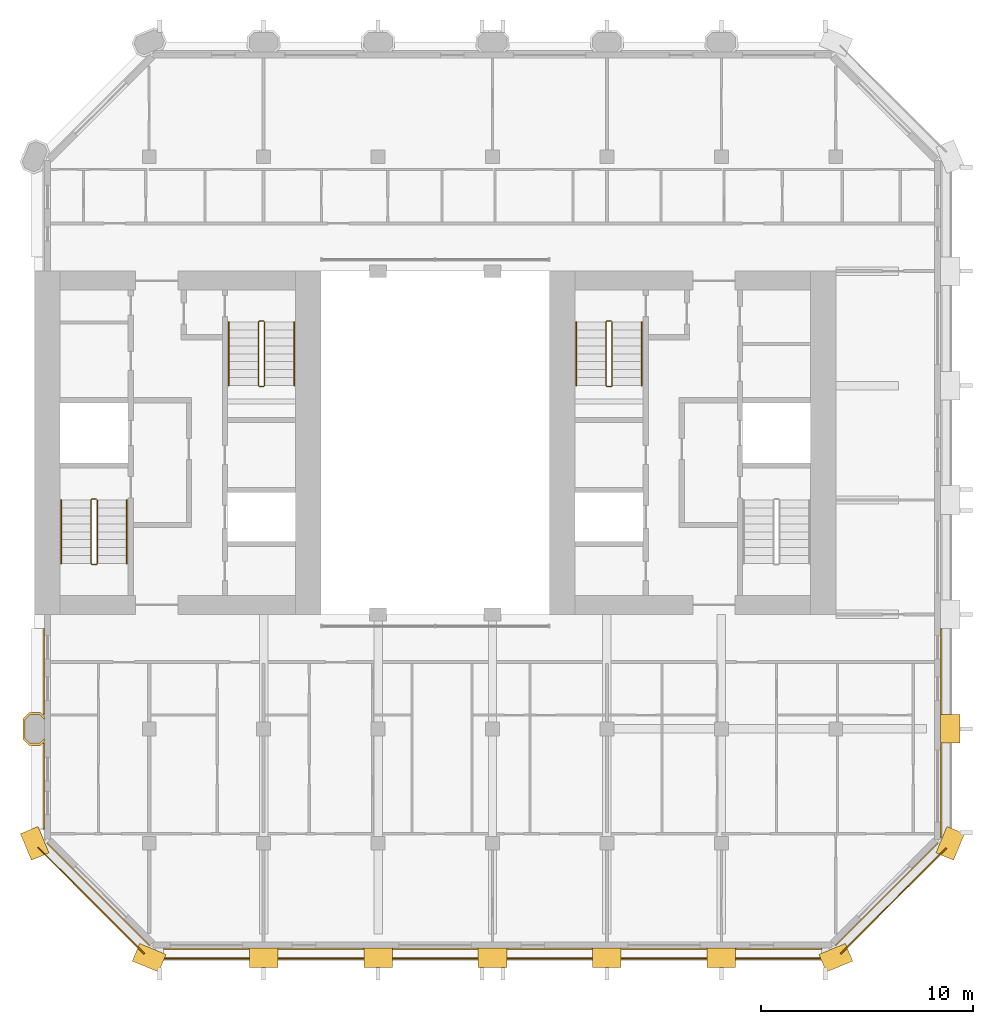
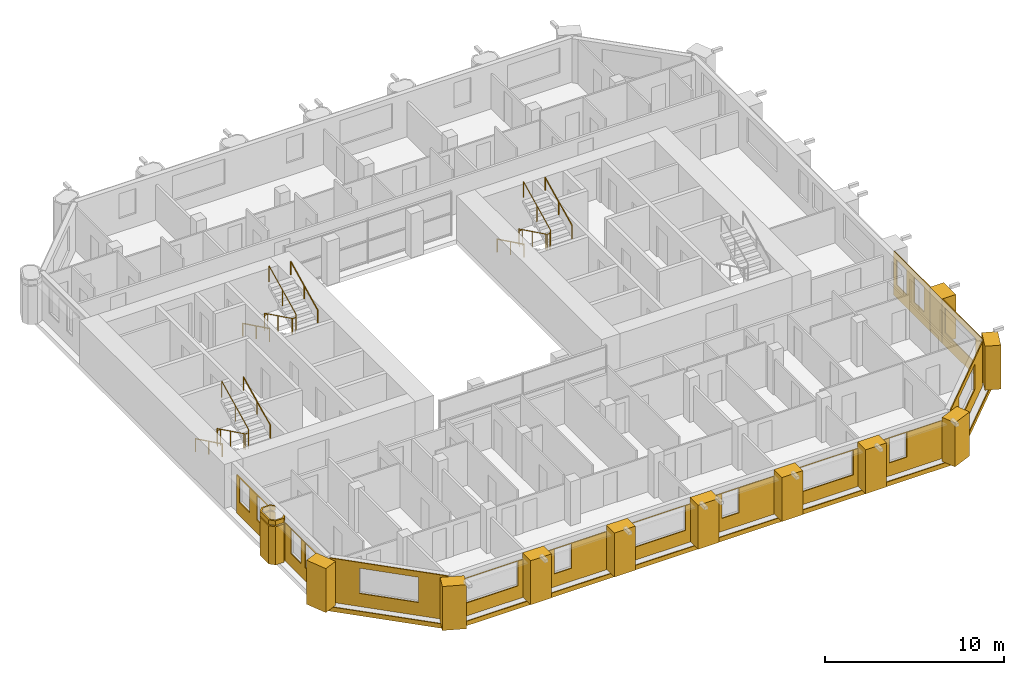
# One storey, part 12 of 14: 27 coverings, 9 railings.
"""IFC4 building model written with IfcOpenShell, lengths in metres."""

from ifc_helpers import new_model, si_unit, direction, frame, frame_2d, origin, origin_2d, place, context, subcontext, project, spatial, polyline, rectangle, circle, outline, extrude, material, layer, layer_set, type_object, element, save


model = new_model("IFC4")

# Units and contexts
model_context = context("Model", 3, precision=1e-05, world=origin(), true_north=direction((0.0, 1.0)))
body_context = subcontext(model_context, "Body", "Model", "MODEL_VIEW")
ifc_project = project(units=[si_unit("LENGTHUNIT", "METRE"), si_unit("AREAUNIT", "SQUARE_METRE"), si_unit("VOLUMEUNIT", "CUBIC_METRE"), si_unit("PLANEANGLEUNIT", "RADIAN"), si_unit("MASSUNIT", "GRAM", prefix="KILO")], contexts=[model_context])

# Site, building, storey
site_placement = place(None, origin())
site = spatial("IfcSite", under=ifc_project, at=site_placement, CompositionType="ELEMENT")
building_placement = place(site_placement, origin())
building = spatial("IfcBuilding", under=site, at=building_placement, Name="Tabaq Tower and Sports Hall", CompositionType="ELEMENT")
storey_placement = place(building_placement, frame((0.0, 0.0, 285.10009765625)))
storey = spatial("IfcBuildingStorey", under=building, at=storey_placement, Name="L70", CompositionType="ELEMENT", Elevation=285.10009765625)

# Coverings
ifc_material_1 = material(Name="Precast concrete C60/75", Category="concrete")
ifc_layer_1 = layer(ifc_material_1, 0.10009765625)
ifc_layer_set_1 = layer_set([ifc_layer_1], Name="Column cladding 100")
covering_type_1 = type_object("IfcCoveringType", Name="Column cladding 100", PredefinedType="CLADDING", material=ifc_layer_set_1)
covering_1_placement = place(storey_placement, origin())
element("IfcCovering", 1, at=covering_1_placement, inside=storey, type_object=covering_type_1, Name="Column cladding L70 PC-2C-R1", PredefinedType="CLADDING", context=body_context, shape_type="SweptSolid", body=[
    extrude(outline(polyline([(5.1337890625, 10.025390625), (4.850341796875, 10.30859375), (4.850341796875, 11.291259765625), (5.1337890625, 11.57470703125), (5.666259765625, 11.57470703125), (5.849609375, 11.391357421875), (5.849609375, 11.250732421875), (5.625244140625, 11.475341796875), (5.1748046875, 11.475341796875), (4.94970703125, 11.250244140625), (4.94970703125, 10.349853515625), (5.1748046875, 10.124755859375), (5.625244140625, 10.124755859375), (5.849609375, 10.349365234375), (5.849609375, 10.208740234375), (5.666259765625, 10.025390625), (5.1337890625, 10.025390625)])), origin(), (0.0, 0.0, 1.0), 2.599853515625),
])
covering_2_placement = place(storey_placement, frame((0.0, 0.0, 2.699951171875)))
element("IfcCovering", 2, at=covering_2_placement, inside=storey, type_object=covering_type_1, Name="Column cladding L70 PC-2C-R1 2", PredefinedType="CLADDING", context=body_context, shape_type="SweptSolid", body=[
    extrude(outline(polyline([(5.1337890625, 10.025390625), (4.850341796875, 10.30859375), (4.850341796875, 11.291259765625), (5.1337890625, 11.57470703125), (5.666259765625, 11.57470703125), (5.849609375, 11.391357421875), (5.849609375, 11.250732421875), (5.625244140625, 11.475341796875), (5.1748046875, 11.475341796875), (4.94970703125, 11.250244140625), (4.94970703125, 10.349853515625), (5.1748046875, 10.124755859375), (5.625244140625, 10.124755859375), (5.849609375, 10.349365234375), (5.849609375, 10.208740234375), (5.666259765625, 10.025390625), (5.1337890625, 10.025390625)])), origin(), (0.0, 0.0, 1.0), 0.300048828125),
])
ifc_material_2 = material(Name="Precast concrete C60/75", Category="concrete")
ifc_layer_2 = layer(ifc_material_2, 0.06005859375)
ifc_layer_set_2 = layer_set([ifc_layer_2], Name="Edge beam cladding 60")
covering_type_2 = type_object("IfcCoveringType", Name="Edge beam cladding 60", PredefinedType="CLADDING", material=ifc_layer_set_2)
covering_3_placement = place(storey_placement, frame((11.0986328125, -0.030029296875, -0.300048828125), z_axis=(0.0, 0.0, 1.0), x_axis=(1.0, 0.0, 0.0)))
element("IfcCovering", 3, at=covering_3_placement, inside=storey, type_object=covering_type_2, Name="Edge beam cladding L70 1", PredefinedType="CLADDING", context=body_context, shape_type="SweptSolid", body=[
    extrude(rectangle(XDim=31.802734375, YDim=0.06005859375, at=frame_2d((15.9013671875, 0.0))), origin(), (0.0, 0.0, 1.0), 0.300048828125),
])
covering_4_placement = place(storey_placement, frame((43.432373046875, 0.18994140625, -0.300048828125), z_axis=(0.0, 0.0, 1.0), x_axis=(0.707106781187, 0.707106781187, 0.0)))
element("IfcCovering", 4, at=covering_4_placement, inside=storey, type_object=covering_type_2, Name="Edge beam cladding L70 2", PredefinedType="CLADDING", context=body_context, shape_type="SweptSolid", body=[
    extrude(rectangle(XDim=7.03955078125, YDim=0.06005859375, at=frame_2d((3.519775390625, 0.0))), origin(), (0.0, 0.0, 1.0), 0.300048828125),
])
covering_5_placement = place(storey_placement, frame((5.5556640625, 5.201904296875, -0.300048828125), z_axis=(0.0, 0.0, 1.0), x_axis=(0.707106781187, -0.707106781187, 0.0)))
element("IfcCovering", 5, at=covering_5_placement, inside=storey, type_object=covering_type_2, Name="Edge beam cladding L70 5", PredefinedType="CLADDING", context=body_context, shape_type="SweptSolid", body=[
    extrude(rectangle(XDim=7.087890625, YDim=0.06005859375, at=frame_2d((3.5439453125, 0.0))), origin(), (0.0, 0.0, 1.0), 0.300048828125),
])
ifc_material_3 = material(Name="White precast concrete C60/75", Category="concrete")
covering_type_3 = type_object("IfcCoveringType", Name="Pier cladding hung 1350x900", PredefinedType="CLADDING", material=ifc_material_3)
for number, where, z_axis, x_axis, name in (
    (6, (5.1416015625, 6.023681640625, 0.0), (0.0, 0.0, 1.0), (0.382649923473, -0.923893411637, 0.0), "Hung pier cladding 1/1"),
    (7, (10.17626953125, 0.25830078125, 0.0), (0.0, 0.0, 1.0), (0.923893411637, -0.382649923473, 0.0), "Hung pier cladding 2/0"),
    (8, (15.52490234375, 0.0, 0.0), (0.0, 0.0, 1.0), (1.0, 0.0, 0.0), "Hung pier cladding 3/0"),
):
    element("IfcCovering", number, at=place(storey_placement, frame(where, z_axis=z_axis, x_axis=x_axis)), inside=storey, type_object=covering_type_3, Name=name, PredefinedType="CLADDING", context=body_context, shape_type="SweptSolid", body=[
        extrude(rectangle(XDim=1.35009765625, YDim=0.89990234375, at=frame_2d((0.675048828125, 0.0))), origin(), (0.0, 0.0, 1.0), 3.0),
    ])
covering_6_placement = place(storey_placement, frame((20.925048828125, 0.0, 0.0), z_axis=(0.0, 0.0, 1.0), x_axis=(1.0, 0.0, 0.0)))
element("IfcCovering", 9, at=covering_6_placement, inside=storey, type_object=covering_type_3, Name="Hung pier cladding 4/0", PredefinedType="CLADDING", context=body_context, shape_type="SweptSolid", body=[
    extrude(rectangle(XDim=1.349853515625, YDim=0.89990234375, at=frame_2d((0.6748046875, 0.0))), origin(), (0.0, 0.0, 1.0), 3.0),
])
covering_7_placement = place(storey_placement, frame((26.324951171875, 0.0, 0.0), z_axis=(0.0, 0.0, 1.0), x_axis=(1.0, 0.0, 0.0)))
element("IfcCovering", 10, at=covering_7_placement, inside=storey, type_object=covering_type_3, Name="Hung pier cladding 5/0", PredefinedType="CLADDING", context=body_context, shape_type="SweptSolid", body=[
    extrude(rectangle(XDim=1.35009765625, YDim=0.89990234375, at=frame_2d((0.675048828125, 0.0))), origin(), (0.0, 0.0, 1.0), 3.0),
])
covering_8_placement = place(storey_placement, frame((31.72509765625, 0.0, 0.0), z_axis=(0.0, 0.0, 1.0), x_axis=(1.0, 0.0, 0.0)))
element("IfcCovering", 11, at=covering_8_placement, inside=storey, type_object=covering_type_3, Name="Hung pier cladding 6/0", PredefinedType="CLADDING", context=body_context, shape_type="SweptSolid", body=[
    extrude(rectangle(XDim=1.349853515625, YDim=0.89990234375, at=frame_2d((0.6748046875, 0.0))), origin(), (0.0, 0.0, 1.0), 3.0),
])
for number, where, z_axis, x_axis, name in (
    (12, (37.125, 0.0, 0.0), (0.0, 0.0, 1.0), (1.0, 0.0, 0.0), "Hung pier cladding 7/0"),
    (13, (42.576416015625, -0.25830078125, 0.0), (0.0, 0.0, 1.0), (0.923893411637, 0.382649923473, 0.0), "Hung pier cladding 8/0"),
    (14, (48.341796875, 4.7763671875, 0.0), (0.0, 0.0, 1.0), (0.382649923473, 0.923893411637, 0.0), "Hung pier cladding 9/1"),
    (15, (48.60009765625, 10.125, 0.0), (0.0, 0.0, 1.0), (0.0, 1.0, 0.0), "Hung pier cladding 9/2"),
):
    element("IfcCovering", number, at=place(storey_placement, frame(where, z_axis=z_axis, x_axis=x_axis)), inside=storey, type_object=covering_type_3, Name=name, PredefinedType="CLADDING", context=body_context, shape_type="SweptSolid", body=[
        extrude(rectangle(XDim=1.35009765625, YDim=0.89990234375, at=frame_2d((0.675048828125, 0.0))), origin(), (0.0, 0.0, 1.0), 3.0),
    ])

# Railings
ifc_material_4 = material(Name="Stainless steel", Category="steel")
railing_type_1 = type_object("IfcRailingType", Name="Stair guard", PredefinedType="GUARDRAIL", material=ifc_material_4)
railing_1_placement = place(storey_placement, frame((8.300048828125, 21.64990234375, 0.0)))
element("IfcRailing", 16, at=railing_1_placement, inside=storey, type_object=railing_type_1, Name="L70 ST1 stair guard 1", PredefinedType="GUARDRAIL", context=body_context, shape_type="SweptSolid", body=[
    extrude(circle(Radius=0.02392578125, at=origin_2d()), frame((0.0, 0.0, 1.076171875), z_axis=(-1.0, 0.0, 0.0), x_axis=(0.0, -1.0, 0.0)), (0.0, 0.0, 1.0), 0.199951171875),
    extrude(circle(Radius=0.02392578125, at=origin_2d()), frame((-0.199951171875, 0.0, 1.076171875), z_axis=(-0.254733673405, -0.25349107012, 0.933195066962), x_axis=(0.705375805398, -0.708833529934, 0.0)), (0.0, 0.0, 1.0), 0.196533203125),
    extrude(circle(Radius=0.02392578125, at=origin_2d()), frame((-0.25, -0.0498046875, 1.25927734375), z_axis=(0.0, -0.898397823093, 0.439182594671), x_axis=(1.0, 0.0, 0.0)), (0.0, 0.0, 1.0), 3.33935546875),
    extrude(circle(Radius=0.02392578125, at=origin_2d()), frame((-0.25, -3.0498046875, 2.72607421875), z_axis=(0.707106781187, -0.707106781187, 0.0), x_axis=(0.707106781187, 0.707106781187, 0.0)), (0.0, 0.0, 1.0), 0.07080078125),
    extrude(circle(Radius=0.02392578125, at=origin_2d()), frame((-0.199951171875, -3.099853515625, 2.72607421875), z_axis=(1.0, 0.0, 0.0), x_axis=(0.0, 1.0, 0.0)), (0.0, 0.0, 1.0), 0.199951171875),
    extrude(circle(Radius=0.02392578125, at=origin_2d()), frame((0.0, -3.099853515625, 2.72607421875), z_axis=(0.254653276557, 0.254653276557, 0.932900539971), x_axis=(-0.707106781187, 0.707106781187, 0.0)), (0.0, 0.0, 1.0), 0.196533203125),
    extrude(circle(Radius=0.02392578125, at=origin_2d()), frame((0.050048828125, -3.0498046875, 2.9091796875), z_axis=(0.0, 0.898397823093, 0.439182594671), x_axis=(-1.0, 0.0, 0.0)), (0.0, 0.0, 1.0), 3.33935546875),
    extrude(circle(Radius=0.02099609375, at=origin_2d()), origin(), (0.0, 0.0, 1.0), 1.052001953125),
    extrude(circle(Radius=0.02099609375, at=origin_2d()), frame((-0.199951171875, 0.0, 0.0)), (0.0, 0.0, 1.0), 1.052001953125),
    extrude(circle(Radius=0.02099609375, at=origin_2d()), frame((-0.25, -0.0498046875, 0.183349609375)), (0.0, 0.0, 1.0), 1.052001953125),
    extrude(circle(Radius=0.02099609375, at=origin_2d()), frame((-0.25, -1.5498046875, 0.91650390625)), (0.0, 0.0, 1.0), 1.052001953125),
    extrude(circle(Radius=0.02099609375, at=origin_2d()), frame((-0.25, -3.0498046875, 1.64990234375)), (0.0, 0.0, 1.0), 1.052001953125),
    extrude(circle(Radius=0.02099609375, at=origin_2d()), frame((-0.199951171875, -3.099853515625, 1.64990234375)), (0.0, 0.0, 1.0), 1.052001953125),
    extrude(circle(Radius=0.02099609375, at=origin_2d()), frame((0.0, -3.099853515625, 1.64990234375)), (0.0, 0.0, 1.0), 1.052001953125),
    extrude(circle(Radius=0.02099609375, at=origin_2d()), frame((0.050048828125, -3.0498046875, 1.833251953125)), (0.0, 0.0, 1.0), 1.052001953125),
    extrude(circle(Radius=0.02099609375, at=origin_2d()), frame((0.050048828125, -1.5498046875, 2.56640625)), (0.0, 0.0, 1.0), 1.052001953125),
    extrude(circle(Radius=0.02099609375, at=origin_2d()), frame((0.050048828125, -0.0498046875, 3.2998046875)), (0.0, 0.0, 1.0), 1.052001953125),
])
railing_2_placement = place(storey_placement, frame((16.199951171875, 30.050048828125, 0.0)))
element("IfcRailing", 17, at=railing_2_placement, inside=storey, type_object=railing_type_1, Name="L70 ST2 stair guard 1", PredefinedType="GUARDRAIL", context=body_context, shape_type="SweptSolid", body=[
    extrude(circle(Radius=0.02392578125, at=origin_2d()), frame((0.0, 0.0, 1.076171875), z_axis=(-1.0, 0.0, 0.0), x_axis=(0.0, -1.0, 0.0)), (0.0, 0.0, 1.0), 0.199951171875),
    extrude(circle(Radius=0.02392578125, at=origin_2d()), frame((-0.199951171875, 0.0, 1.076171875), z_axis=(-0.254653276557, -0.254653276557, 0.932900539971), x_axis=(0.707106781187, -0.707106781187, 0.0)), (0.0, 0.0, 1.0), 0.196533203125),
    extrude(circle(Radius=0.02392578125, at=origin_2d()), frame((-0.25, -0.050048828125, 1.25927734375), z_axis=(0.0, -0.898397823093, 0.439182594671), x_axis=(1.0, 0.0, 0.0)), (0.0, 0.0, 1.0), 3.33935546875),
    extrude(circle(Radius=0.02392578125, at=origin_2d()), frame((-0.25, -3.050048828125, 2.72607421875), z_axis=(0.707106781187, -0.707106781187, 0.0), x_axis=(0.707106781187, 0.707106781187, 0.0)), (0.0, 0.0, 1.0), 0.07080078125),
    extrude(circle(Radius=0.02392578125, at=origin_2d()), frame((-0.199951171875, -3.10009765625, 2.72607421875), z_axis=(1.0, 0.0, 0.0), x_axis=(0.0, 1.0, 0.0)), (0.0, 0.0, 1.0), 0.199951171875),
    extrude(circle(Radius=0.02392578125, at=origin_2d()), frame((0.0, -3.10009765625, 2.72607421875), z_axis=(0.254653276557, 0.254653276557, 0.932900539971), x_axis=(-0.707106781187, 0.707106781187, 0.0)), (0.0, 0.0, 1.0), 0.196533203125),
    extrude(circle(Radius=0.02392578125, at=origin_2d()), frame((0.050048828125, -3.050048828125, 2.9091796875), z_axis=(0.0, 0.898397823093, 0.439182594671), x_axis=(-1.0, 0.0, 0.0)), (0.0, 0.0, 1.0), 3.33935546875),
    extrude(circle(Radius=0.02099609375, at=origin_2d()), origin(), (0.0, 0.0, 1.0), 1.052001953125),
    extrude(circle(Radius=0.02099609375, at=origin_2d()), frame((-0.199951171875, 0.0, 0.0)), (0.0, 0.0, 1.0), 1.052001953125),
    extrude(circle(Radius=0.02099609375, at=origin_2d()), frame((-0.25, -0.050048828125, 0.183349609375)), (0.0, 0.0, 1.0), 1.052001953125),
    extrude(circle(Radius=0.02099609375, at=origin_2d()), frame((-0.25, -1.550048828125, 0.91650390625)), (0.0, 0.0, 1.0), 1.052001953125),
    extrude(circle(Radius=0.02099609375, at=origin_2d()), frame((-0.25, -3.050048828125, 1.64990234375)), (0.0, 0.0, 1.0), 1.052001953125),
    extrude(circle(Radius=0.02099609375, at=origin_2d()), frame((-0.199951171875, -3.10009765625, 1.64990234375)), (0.0, 0.0, 1.0), 1.052001953125),
    extrude(circle(Radius=0.02099609375, at=origin_2d()), frame((0.0, -3.10009765625, 1.64990234375)), (0.0, 0.0, 1.0), 1.052001953125),
    extrude(circle(Radius=0.02099609375, at=origin_2d()), frame((0.050048828125, -3.050048828125, 1.833251953125)), (0.0, 0.0, 1.0), 1.052001953125),
    extrude(circle(Radius=0.02099609375, at=origin_2d()), frame((0.050048828125, -1.550048828125, 2.56640625)), (0.0, 0.0, 1.0), 1.052001953125),
    extrude(circle(Radius=0.02099609375, at=origin_2d()), frame((0.050048828125, -0.050048828125, 3.2998046875)), (0.0, 0.0, 1.0), 1.052001953125),
])
railing_3_placement = place(storey_placement, frame((32.60009765625, 30.050048828125, 0.0)))
element("IfcRailing", 18, at=railing_3_placement, inside=storey, type_object=railing_type_1, Name="L70 ST4 stair guard 1", PredefinedType="GUARDRAIL", context=body_context, shape_type="SweptSolid", body=[
    extrude(circle(Radius=0.02392578125, at=origin_2d()), frame((0.0, 0.0, 1.076171875), z_axis=(-1.0, 0.0, 0.0), x_axis=(0.0, -1.0, 0.0)), (0.0, 0.0, 1.0), 0.2001953125),
    extrude(circle(Radius=0.02392578125, at=origin_2d()), frame((-0.2001953125, 0.0, 1.076171875), z_axis=(-0.25349107012, -0.254733673405, 0.933195066962), x_axis=(0.708833529934, -0.705375805398, 0.0)), (0.0, 0.0, 1.0), 0.196533203125),
    extrude(circle(Radius=0.02392578125, at=origin_2d()), frame((-0.25, -0.050048828125, 1.25927734375), z_axis=(0.0, -0.898397823093, 0.439182594671), x_axis=(1.0, 0.0, 0.0)), (0.0, 0.0, 1.0), 3.33935546875),
    extrude(circle(Radius=0.02392578125, at=origin_2d()), frame((-0.25, -3.050048828125, 2.72607421875), z_axis=(0.705375805398, -0.708833529934, 0.0), x_axis=(0.708833529934, 0.705375805398, 0.0)), (0.0, 0.0, 1.0), 0.070556640625),
    extrude(circle(Radius=0.02392578125, at=origin_2d()), frame((-0.2001953125, -3.10009765625, 2.72607421875), z_axis=(1.0, 0.0, 0.0), x_axis=(0.0, 1.0, 0.0)), (0.0, 0.0, 1.0), 0.2001953125),
    extrude(circle(Radius=0.02392578125, at=origin_2d()), frame((0.0, -3.10009765625, 2.72607421875), z_axis=(0.25349107012, 0.254733673405, 0.933195066962), x_axis=(-0.708833529934, 0.705375805398, 0.0)), (0.0, 0.0, 1.0), 0.196533203125),
    extrude(circle(Radius=0.02392578125, at=origin_2d()), frame((0.0498046875, -3.050048828125, 2.9091796875), z_axis=(0.0, 0.898397823093, 0.439182594671), x_axis=(-1.0, 0.0, 0.0)), (0.0, 0.0, 1.0), 3.33935546875),
    extrude(circle(Radius=0.02099609375, at=origin_2d()), origin(), (0.0, 0.0, 1.0), 1.052001953125),
    extrude(circle(Radius=0.02099609375, at=origin_2d()), frame((-0.2001953125, 0.0, 0.0)), (0.0, 0.0, 1.0), 1.052001953125),
    extrude(circle(Radius=0.02099609375, at=origin_2d()), frame((-0.25, -0.050048828125, 0.183349609375)), (0.0, 0.0, 1.0), 1.052001953125),
    extrude(circle(Radius=0.02099609375, at=origin_2d()), frame((-0.25, -1.550048828125, 0.91650390625)), (0.0, 0.0, 1.0), 1.052001953125),
    extrude(circle(Radius=0.02099609375, at=origin_2d()), frame((-0.25, -3.050048828125, 1.64990234375)), (0.0, 0.0, 1.0), 1.052001953125),
    extrude(circle(Radius=0.02099609375, at=origin_2d()), frame((-0.2001953125, -3.10009765625, 1.64990234375)), (0.0, 0.0, 1.0), 1.052001953125),
    extrude(circle(Radius=0.02099609375, at=origin_2d()), frame((0.0, -3.10009765625, 1.64990234375)), (0.0, 0.0, 1.0), 1.052001953125),
    extrude(circle(Radius=0.02099609375, at=origin_2d()), frame((0.0498046875, -3.050048828125, 1.833251953125)), (0.0, 0.0, 1.0), 1.052001953125),
    extrude(circle(Radius=0.02099609375, at=origin_2d()), frame((0.0498046875, -1.550048828125, 2.56640625)), (0.0, 0.0, 1.0), 1.052001953125),
    extrude(circle(Radius=0.02099609375, at=origin_2d()), frame((0.0498046875, -0.050048828125, 3.2998046875)), (0.0, 0.0, 1.0), 1.052001953125),
])
ifc_material_5 = material(Name="Stainless steel", Category="steel")
railing_type_2 = type_object("IfcRailingType", Name="Stair handrail", PredefinedType="HANDRAIL", material=ifc_material_5)
railing_4_placement = place(storey_placement, frame((6.64990234375, 21.60009765625, 0.183349609375)))
element("IfcRailing", 19, at=railing_4_placement, inside=storey, type_object=railing_type_2, Name="L70 ST1 stair handrail 1", PredefinedType="HANDRAIL", context=body_context, shape_type="SweptSolid", body=[
    extrude(circle(Radius=0.02392578125, at=origin_2d()), frame((0.0, 0.0, 0.8759765625), z_axis=(0.0, -0.898397823093, 0.439182594671), x_axis=(1.0, 0.0, 0.0)), (0.0, 0.0, 1.0), 3.33935546875),
    extrude(circle(Radius=0.02099609375, at=origin_2d()), origin(), (0.0, 0.0, 1.0), 0.851806640625),
    extrude(circle(Radius=0.02099609375, at=origin_2d()), frame((0.0, -1.5, 0.7333984375)), (0.0, 0.0, 1.0), 0.851806640625),
    extrude(circle(Radius=0.02099609375, at=origin_2d()), frame((0.0, -3.0, 1.466552734375)), (0.0, 0.0, 1.0), 0.851806640625),
])
railing_5_placement = place(storey_placement, frame((9.75, 18.60009765625, 1.833251953125)))
element("IfcRailing", 20, at=railing_5_placement, inside=storey, type_object=railing_type_2, Name="L70 ST1 stair handrail 2", PredefinedType="HANDRAIL", context=body_context, shape_type="SweptSolid", body=[
    extrude(circle(Radius=0.02392578125, at=origin_2d()), frame((0.0, 0.0, 0.8759765625), z_axis=(0.0, 0.898397823093, 0.439182594671), x_axis=(-1.0, 0.0, 0.0)), (0.0, 0.0, 1.0), 3.33935546875),
    extrude(circle(Radius=0.02099609375, at=origin_2d()), origin(), (0.0, 0.0, 1.0), 0.851806640625),
    extrude(circle(Radius=0.02099609375, at=origin_2d()), frame((0.0, 1.5, 0.7333984375)), (0.0, 0.0, 1.0), 0.851806640625),
    extrude(circle(Radius=0.02099609375, at=origin_2d()), frame((0.0, 3.0, 1.466552734375)), (0.0, 0.0, 1.0), 0.851806640625),
])
railing_6_placement = place(storey_placement, frame((14.550048828125, 30.0, 0.183349609375)))
element("IfcRailing", 21, at=railing_6_placement, inside=storey, type_object=railing_type_2, Name="L70 ST2 stair handrail 1", PredefinedType="HANDRAIL", context=body_context, shape_type="SweptSolid", body=[
    extrude(circle(Radius=0.02392578125, at=origin_2d()), frame((0.0, 0.0, 0.8759765625), z_axis=(0.0, -0.898397823093, 0.439182594671), x_axis=(1.0, 0.0, 0.0)), (0.0, 0.0, 1.0), 3.33935546875),
    extrude(circle(Radius=0.02099609375, at=origin_2d()), origin(), (0.0, 0.0, 1.0), 0.851806640625),
    extrude(circle(Radius=0.02099609375, at=origin_2d()), frame((0.0, -1.5, 0.7333984375)), (0.0, 0.0, 1.0), 0.851806640625),
    extrude(circle(Radius=0.02099609375, at=origin_2d()), frame((0.0, -3.0, 1.466552734375)), (0.0, 0.0, 1.0), 0.851806640625),
])
railing_7_placement = place(storey_placement, frame((17.64990234375, 27.0, 1.833251953125)))
element("IfcRailing", 22, at=railing_7_placement, inside=storey, type_object=railing_type_2, Name="L70 ST2 stair handrail 2", PredefinedType="HANDRAIL", context=body_context, shape_type="SweptSolid", body=[
    extrude(circle(Radius=0.02392578125, at=origin_2d()), frame((0.0, 0.0, 0.8759765625), z_axis=(0.0, 0.898397823093, 0.439182594671), x_axis=(-1.0, 0.0, 0.0)), (0.0, 0.0, 1.0), 3.33935546875),
    extrude(circle(Radius=0.02099609375, at=origin_2d()), origin(), (0.0, 0.0, 1.0), 0.851806640625),
    extrude(circle(Radius=0.02099609375, at=origin_2d()), frame((0.0, 1.5, 0.7333984375)), (0.0, 0.0, 1.0), 0.851806640625),
    extrude(circle(Radius=0.02099609375, at=origin_2d()), frame((0.0, 3.0, 1.466552734375)), (0.0, 0.0, 1.0), 0.851806640625),
])
railing_8_placement = place(storey_placement, frame((30.949951171875, 30.0, 0.183349609375)))
element("IfcRailing", 23, at=railing_8_placement, inside=storey, type_object=railing_type_2, Name="L70 ST4 stair handrail 1", PredefinedType="HANDRAIL", context=body_context, shape_type="SweptSolid", body=[
    extrude(circle(Radius=0.02392578125, at=origin_2d()), frame((0.0, 0.0, 0.8759765625), z_axis=(0.0, -0.898397823093, 0.439182594671), x_axis=(1.0, 0.0, 0.0)), (0.0, 0.0, 1.0), 3.33935546875),
    extrude(circle(Radius=0.02099609375, at=origin_2d()), origin(), (0.0, 0.0, 1.0), 0.851806640625),
    extrude(circle(Radius=0.02099609375, at=origin_2d()), frame((0.0, -1.5, 0.7333984375)), (0.0, 0.0, 1.0), 0.851806640625),
    extrude(circle(Radius=0.02099609375, at=origin_2d()), frame((0.0, -3.0, 1.466552734375)), (0.0, 0.0, 1.0), 0.851806640625),
])
railing_9_placement = place(storey_placement, frame((34.050048828125, 27.0, 1.833251953125)))
element("IfcRailing", 24, at=railing_9_placement, inside=storey, type_object=railing_type_2, Name="L70 ST4 stair handrail 2", PredefinedType="HANDRAIL", context=body_context, shape_type="SweptSolid", body=[
    extrude(circle(Radius=0.02392578125, at=origin_2d()), frame((0.0, 0.0, 0.8759765625), z_axis=(0.0, 0.898397823093, 0.439182594671), x_axis=(-1.0, 0.0, 0.0)), (0.0, 0.0, 1.0), 3.33935546875),
    extrude(circle(Radius=0.02099609375, at=origin_2d()), origin(), (0.0, 0.0, 1.0), 0.851806640625),
    extrude(circle(Radius=0.02099609375, at=origin_2d()), frame((0.0, 1.5, 0.7333984375)), (0.0, 0.0, 1.0), 0.851806640625),
    extrude(circle(Radius=0.02099609375, at=origin_2d()), frame((0.0, 3.0, 1.466552734375)), (0.0, 0.0, 1.0), 0.851806640625),
])

# Coverings
ifc_material_6 = material(Name="Precast concrete C60/75", Category="concrete")
ifc_layer_3 = layer(ifc_material_6, 0.06005859375)
ifc_layer_set_3 = layer_set([ifc_layer_3], Name="White precast cladding panel 60 C60/75")
covering_type_4 = type_object("IfcCoveringType", Name="White precast cladding panel 60 C60/75", PredefinedType="CLADDING", material=ifc_layer_set_3)
covering_9_placement = place(storey_placement, frame((11.465087890625, 0.419921875, 0.0), z_axis=(0.0, 0.0, 1.0), x_axis=(1.0, 0.0, 0.0)))
element("IfcCovering", 25, at=covering_9_placement, inside=storey, type_object=covering_type_4, Name="White precast cladding panel L70 wall00", PredefinedType="CLADDING", context=body_context, shape_type="SweptSolid", body=[
    extrude(outline(polyline([(0.0, 0.0), (4.0498046875, 0.0), (4.0498046875, 2.58984375), (0.0, 2.58984375), (0.0, 0.0)]), holes=[polyline([(3.7451171875, 0.889892578125), (0.324951171875, 0.889892578125), (0.324951171875, 2.559814453125), (3.7451171875, 2.559814453125), (3.7451171875, 0.889892578125)])]), frame((0.0, 0.030029296875, 0.0), z_axis=(0.0, -1.0, 0.0), x_axis=(1.0, 0.0, 0.0)), (0.0, 0.0, 1.0), 0.06005859375),
])
covering_10_placement = place(storey_placement, frame((16.885009765625, 0.419921875, 0.0), z_axis=(0.0, 0.0, 1.0), x_axis=(1.0, 0.0, 0.0)))
element("IfcCovering", 26, at=covering_10_placement, inside=storey, type_object=covering_type_4, Name="White precast cladding panel L70 wall00 2", PredefinedType="CLADDING", context=body_context, shape_type="SweptSolid", body=[
    extrude(outline(polyline([(0.0, 0.0), (4.030029296875, 0.0), (4.030029296875, 2.58984375), (0.0, 2.58984375), (0.0, 0.0)]), holes=[polyline([(1.77490234375, 0.889892578125), (0.655029296875, 0.889892578125), (0.655029296875, 2.559814453125), (1.77490234375, 2.559814453125), (1.77490234375, 0.889892578125)])]), frame((0.0, 0.030029296875, 0.0), z_axis=(0.0, -1.0, 0.0), x_axis=(1.0, 0.0, 0.0)), (0.0, 0.0, 1.0), 0.06005859375),
])
covering_11_placement = place(storey_placement, frame((22.284912109375, 0.419921875, 0.0), z_axis=(0.0, 0.0, 1.0), x_axis=(1.0, 0.0, 0.0)))
element("IfcCovering", 27, at=covering_11_placement, inside=storey, type_object=covering_type_4, Name="White precast cladding panel L70 wall00 3", PredefinedType="CLADDING", context=body_context, shape_type="SweptSolid", body=[
    extrude(outline(polyline([(0.0, 0.0), (4.030029296875, 0.0), (4.030029296875, 2.58984375), (0.0, 2.58984375), (0.0, 0.0)]), holes=[polyline([(3.72509765625, 0.889892578125), (0.304931640625, 0.889892578125), (0.304931640625, 2.559814453125), (3.72509765625, 2.559814453125), (3.72509765625, 0.889892578125)])]), frame((0.0, 0.030029296875, 0.0), z_axis=(0.0, -1.0, 0.0), x_axis=(1.0, 0.0, 0.0)), (0.0, 0.0, 1.0), 0.06005859375),
])
covering_12_placement = place(storey_placement, frame((27.68505859375, 0.419921875, 0.0), z_axis=(0.0, 0.0, 1.0), x_axis=(1.0, 0.0, 0.0)))
element("IfcCovering", 28, at=covering_12_placement, inside=storey, type_object=covering_type_4, Name="White precast cladding panel L70 wall00 4", PredefinedType="CLADDING", context=body_context, shape_type="SweptSolid", body=[
    extrude(outline(polyline([(0.0, 0.0), (4.030029296875, 0.0), (4.030029296875, 2.58984375), (0.0, 2.58984375), (0.0, 0.0)]), holes=[polyline([(1.77490234375, 0.889892578125), (0.655029296875, 0.889892578125), (0.655029296875, 2.559814453125), (1.77490234375, 2.559814453125), (1.77490234375, 0.889892578125)])]), frame((0.0, 0.030029296875, 0.0), z_axis=(0.0, -1.0, 0.0), x_axis=(1.0, 0.0, 0.0)), (0.0, 0.0, 1.0), 0.06005859375),
])
covering_13_placement = place(storey_placement, frame((33.0849609375, 0.419921875, 0.0), z_axis=(0.0, 0.0, 1.0), x_axis=(1.0, 0.0, 0.0)))
element("IfcCovering", 29, at=covering_13_placement, inside=storey, type_object=covering_type_4, Name="White precast cladding panel L70 wall00 5", PredefinedType="CLADDING", context=body_context, shape_type="SweptSolid", body=[
    extrude(outline(polyline([(0.0, 0.0), (4.030029296875, 0.0), (4.030029296875, 2.58984375), (0.0, 2.58984375), (0.0, 0.0)]), holes=[polyline([(3.72509765625, 0.889892578125), (0.304931640625, 0.889892578125), (0.304931640625, 2.559814453125), (3.72509765625, 2.559814453125), (3.72509765625, 0.889892578125)])]), frame((0.0, 0.030029296875, 0.0), z_axis=(0.0, -1.0, 0.0), x_axis=(1.0, 0.0, 0.0)), (0.0, 0.0, 1.0), 0.06005859375),
])
covering_14_placement = place(storey_placement, frame((38.485107421875, 0.419921875, 0.0), z_axis=(0.0, 0.0, 1.0), x_axis=(1.0, 0.0, 0.0)))
element("IfcCovering", 30, at=covering_14_placement, inside=storey, type_object=covering_type_4, Name="White precast cladding panel L70 wall00 6", PredefinedType="CLADDING", context=body_context, shape_type="SweptSolid", body=[
    extrude(outline(polyline([(0.0, 0.0), (4.0498046875, 0.0), (4.0498046875, 2.58984375), (0.0, 2.58984375), (0.0, 0.0)]), holes=[polyline([(1.77490234375, 0.889892578125), (0.655029296875, 0.889892578125), (0.655029296875, 2.559814453125), (1.77490234375, 2.559814453125), (1.77490234375, 0.889892578125)])]), frame((0.0, 0.030029296875, 0.0), z_axis=(0.0, -1.0, 0.0), x_axis=(1.0, 0.0, 0.0)), (0.0, 0.0, 1.0), 0.06005859375),
])
covering_15_placement = place(storey_placement, frame((43.177734375, 0.57177734375, 0.0), z_axis=(0.0, 0.0, 1.0), x_axis=(0.707106781187, 0.707106781187, 0.0)))
element("IfcCovering", 31, at=covering_15_placement, inside=storey, type_object=covering_type_4, Name="White precast cladding panel L70 wall01", PredefinedType="CLADDING", context=body_context, shape_type="SweptSolid", body=[
    extrude(outline(polyline([(0.0, 0.0), (6.85986328125, 0.0), (6.85986328125, 3.0), (0.0, 3.0), (0.0, 0.0)]), holes=[polyline([(1.7197265625, 0.889892578125), (1.7197265625, 2.60986328125), (5.139892578125, 2.60986328125), (5.139892578125, 0.889892578125), (1.7197265625, 0.889892578125)])]), frame((0.0, 0.030029296875, 0.0), z_axis=(0.0, -1.0, 0.0), x_axis=(1.0, 0.0, 0.0)), (0.0, 0.0, 1.0), 0.06005859375),
])
covering_16_placement = place(storey_placement, frame((48.179931640625, 5.64306640625, 0.0), z_axis=(0.0, 0.0, 1.0), x_axis=(0.0, 1.0, 0.0)))
element("IfcCovering", 32, at=covering_16_placement, inside=storey, type_object=covering_type_4, Name="White precast cladding panel L70 wall02", PredefinedType="CLADDING", context=body_context, shape_type="SweptSolid", body=[
    extrude(outline(polyline([(0.0, 0.0), (4.471923828125, 0.0), (4.471923828125, 3.0), (0.0, 3.0), (0.0, 0.0)]), holes=[polyline([(0.746826171875, 0.889892578125), (0.746826171875, 2.60986328125), (4.166748046875, 2.60986328125), (4.166748046875, 0.889892578125), (0.746826171875, 0.889892578125)])]), frame((0.0, 0.030029296875, 0.0), z_axis=(0.0, -1.0, 0.0), x_axis=(1.0, 0.0, 0.0)), (0.0, 0.0, 1.0), 0.06005859375),
])
covering_17_placement = place(storey_placement, frame((48.179931640625, 11.485107421875, 0.0), z_axis=(0.0, 0.0, 1.0), x_axis=(0.0, 1.0, 0.0)))
element("IfcCovering", 33, at=covering_17_placement, inside=storey, type_object=covering_type_4, Name="White precast cladding panel L70 wall02 2", PredefinedType="CLADDING", context=body_context, shape_type="SweptSolid", body=[
    extrude(outline(polyline([(0.0, 0.0), (4.02978515625, 0.0), (4.02978515625, 3.0), (0.0, 3.0), (0.0, 0.0)]), holes=[polyline([(0.655029296875, 2.60986328125), (1.77490234375, 2.60986328125), (1.77490234375, 0.889892578125), (0.655029296875, 0.889892578125), (0.655029296875, 2.60986328125)]), polyline([(2.60498046875, 2.60986328125), (3.72509765625, 2.60986328125), (3.72509765625, 0.889892578125), (2.60498046875, 0.889892578125), (2.60498046875, 2.60986328125)])]), frame((0.0, 0.030029296875, 0.0), z_axis=(0.0, -1.0, 0.0), x_axis=(1.0, 0.0, 0.0)), (0.0, 0.0, 1.0), 0.06005859375),
])
covering_18_placement = place(storey_placement, frame((5.820068359375, 15.534912109375, 0.0), z_axis=(0.0, 0.0, 1.0), x_axis=(0.0, -1.0, 0.0)))
element("IfcCovering", 34, at=covering_18_placement, inside=storey, type_object=covering_type_4, Name="White precast cladding panel L70 wall06-1", PredefinedType="CLADDING", context=body_context, shape_type="SweptSolid", body=[
    extrude(outline(polyline([(0.0, 0.0), (4.0498046875, 0.0), (4.0498046875, 2.58984375), (0.0, 2.58984375), (0.0, 0.0)]), holes=[polyline([(0.324951171875, 0.889892578125), (0.324951171875, 2.559814453125), (1.445068359375, 2.559814453125), (1.445068359375, 0.889892578125), (0.324951171875, 0.889892578125)]), polyline([(2.27490234375, 0.889892578125), (2.27490234375, 2.559814453125), (3.39501953125, 2.559814453125), (3.39501953125, 0.889892578125), (2.27490234375, 0.889892578125)])]), frame((0.0, 0.030029296875, 0.0), z_axis=(0.0, -1.0, 0.0), x_axis=(1.0, 0.0, 0.0)), (0.0, 0.0, 1.0), 0.06005859375),
])
covering_19_placement = place(storey_placement, frame((5.820068359375, 10.114990234375, 0.0), z_axis=(0.0, 0.0, 1.0), x_axis=(0.0, -1.0, 0.0)))
element("IfcCovering", 35, at=covering_19_placement, inside=storey, type_object=covering_type_4, Name="White precast cladding panel L70 wall06-1 2", PredefinedType="CLADDING", context=body_context, shape_type="SweptSolid", body=[
    extrude(outline(polyline([(0.0, 0.0), (4.050048828125, 0.0), (4.050048828125, 2.58984375), (0.0, 2.58984375), (0.0, 0.0)]), holes=[polyline([(0.655029296875, 0.889892578125), (0.655029296875, 2.559814453125), (1.77490234375, 2.559814453125), (1.77490234375, 0.889892578125), (0.655029296875, 0.889892578125)]), polyline([(2.2548828125, 0.889892578125), (2.2548828125, 2.559814453125), (3.375, 2.559814453125), (3.375, 0.889892578125), (2.2548828125, 0.889892578125)])]), frame((0.0, 0.030029296875, 0.0), z_axis=(0.0, -1.0, 0.0), x_axis=(1.0, 0.0, 0.0)), (0.0, 0.0, 1.0), 0.06005859375),
])
covering_20_placement = place(storey_placement, frame((5.9716796875, 5.42236328125, 0.0), z_axis=(0.0, 0.0, 1.0), x_axis=(0.707106781187, -0.707106781187, 0.0)))
element("IfcCovering", 36, at=covering_20_placement, inside=storey, type_object=covering_type_4, Name="White precast cladding panel L70 wall07", PredefinedType="CLADDING", context=body_context, shape_type="SweptSolid", body=[
    extrude(outline(polyline([(0.0, 0.0), (6.85986328125, 0.0), (6.85986328125, 3.0), (0.0, 3.0), (0.0, 0.0)]), holes=[polyline([(1.7197265625, 0.889892578125), (1.7197265625, 2.60986328125), (5.139892578125, 2.60986328125), (5.139892578125, 0.889892578125), (1.7197265625, 0.889892578125)])]), frame((0.0, 0.030029296875, 0.0), z_axis=(0.0, -1.0, 0.0), x_axis=(1.0, 0.0, 0.0)), (0.0, 0.0, 1.0), 0.06005859375),
])

save(model, "model.ifc")
